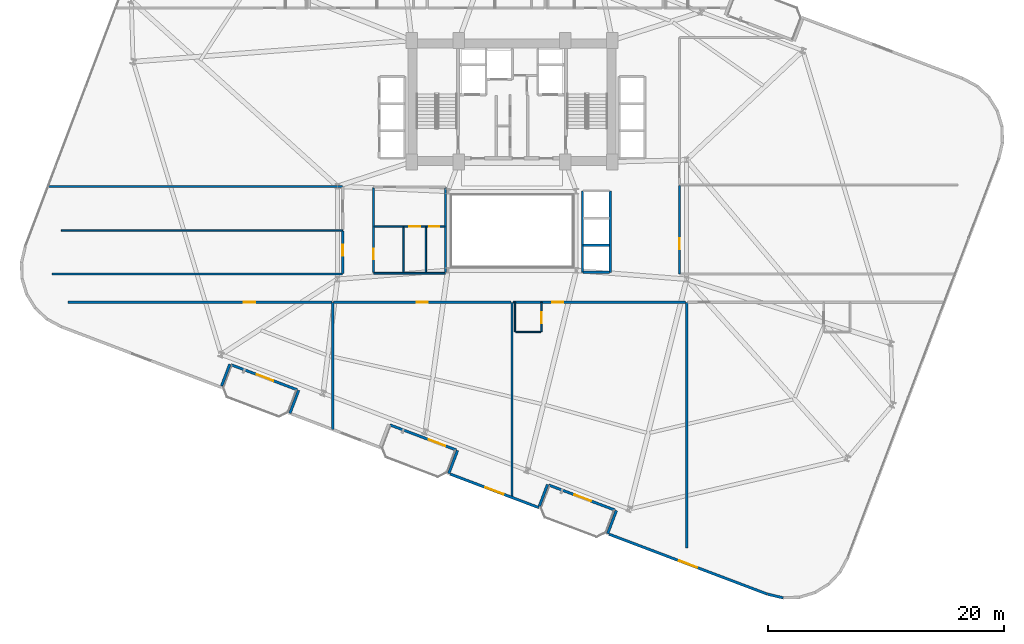
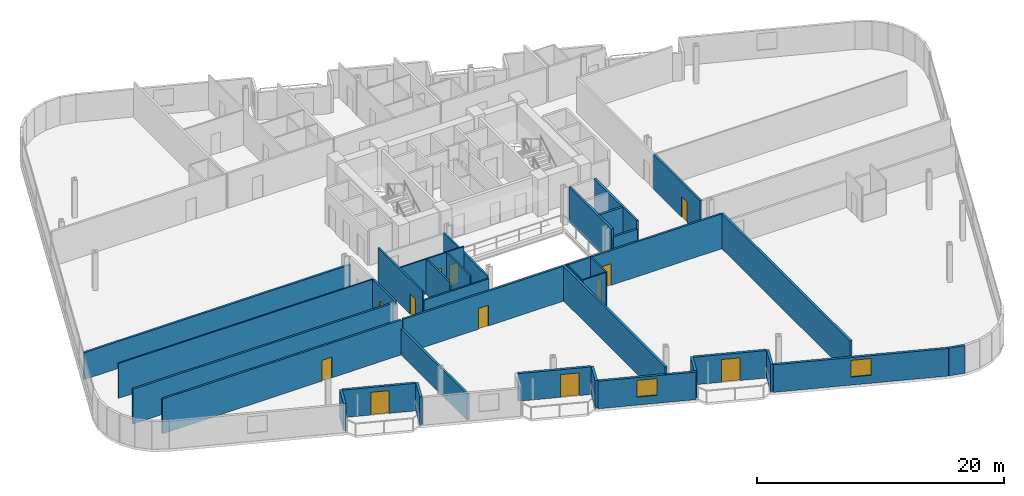
# One storey, part 17 of 24: 35 walls, 12 doors, 2 windows, 14 openings.
"""IFC4 building model written with IfcOpenShell, lengths in metres."""

from ifc_helpers import new_model, si_unit, direction, frame, frame_2d, origin, place, context, subcontext, project, spatial, rectangle, extrude, material, layer, layer_set, type_object, element, fill, save


model = new_model("IFC4")

# Units and contexts
model_context = context("Model", 3, precision=1e-05, world=origin(), true_north=direction((0.0, 1.0)))
body_context = subcontext(model_context, "Body", "Model", "MODEL_VIEW")
ifc_project = project(units=[si_unit("LENGTHUNIT", "METRE"), si_unit("AREAUNIT", "SQUARE_METRE"), si_unit("VOLUMEUNIT", "CUBIC_METRE"), si_unit("PLANEANGLEUNIT", "RADIAN"), si_unit("MASSUNIT", "GRAM", prefix="KILO")], contexts=[model_context])

# Site, building, storey
site_placement = place(None, origin())
site = spatial("IfcSite", under=ifc_project, at=site_placement, CompositionType="ELEMENT")
building_placement = place(site_placement, origin())
building = spatial("IfcBuilding", under=site, at=building_placement, Name="Varnelok Gate Tower", CompositionType="ELEMENT")
storey_placement = place(building_placement, frame((0.0, 0.0, 98.39990234375)))
storey = spatial("IfcBuildingStorey", under=building, at=storey_placement, Name="L24", CompositionType="ELEMENT", Elevation=98.39990234375)

# Wall, opening, door
ifc_material_1 = material(Name="Concrete C45/55", Category="concrete")
ifc_layer_1 = layer(ifc_material_1, 0.219970703125)
ifc_layer_set_1 = layer_set([ifc_layer_1], Name="Concrete C45/55")
wall_type_1 = type_object("IfcWallType", Name="EW-BALC-220", PredefinedType="SOLIDWALL", material=ifc_layer_set_1)
wall_1_placement = place(storey_placement, frame((21.00048828125, 9.42529296875, 0.0), z_axis=(0.0, 0.0, 1.0), x_axis=(-0.93521416643, 0.354082565101, 0.0)))
wall_1 = element("IfcWall", 1, at=wall_1_placement, inside=storey, type_object=wall_type_1, Name="L24 South Terrace Envelope Wall 1", PredefinedType="SOLIDWALL", context=body_context, shape_type="SweptSolid", body=[
    extrude(rectangle(XDim=6.0, YDim=0.219970703125, at=frame_2d((3.0, 0.0))), origin(), (0.0, 0.0, 1.0), 2.72998046875),
])
opening_1_placement = place(wall_1_placement, frame((2.176025390625, 0.0, 0.0)))
opening_1 = element("IfcOpeningElement", 2, at=opening_1_placement, cuts=wall_1, Name="Opening BD-1", PredefinedType="OPENING", context=body_context, shape_type="SweptSolid", body=[
    extrude(rectangle(XDim=1.5, YDim=2.25, at=frame_2d((0.75, 1.125))), frame((0.0, 0.119873046875, 0.0), z_axis=(0.0, -1.0, 0.0), x_axis=(1.0, 0.0, 0.0)), (0.0, 0.0, 1.0), 0.239990234375),
])
ifc_material_2 = material(Name="Anodized Aluminum Alloy 6063-T6", Category="aluminium")
door_type_1 = type_object("IfcDoorType", Name="DR-EXT-BALC1500", OperationType="NOTDEFINED", PredefinedType="DOOR", material=ifc_material_2)
door_1_placement = place(opening_1_placement, origin())
door_1 = element("IfcDoor", 3, at=door_1_placement, inside=storey, type_object=door_type_1, Name="L24 South Balcony Glazed Door 1", OperationType="SINGLE_SWING_RIGHT", OverallHeight=2.25, OverallWidth=1.5, PredefinedType="DOOR", context=body_context, shape_type="SweptSolid", body=[
    extrude(rectangle(XDim=1.5, YDim=2.25, at=frame_2d((0.75, 1.125))), frame((0.0, 0.02490234375, 0.0), z_axis=(0.0, -1.0, 0.0), x_axis=(1.0, 0.0, 0.0)), (0.0, 0.0, 1.0), 0.050048828125),
])
fill(opening_1, door_1)

wall_2_placement = place(storey_placement, frame((34.4677734375, 4.326904296875, 0.0), z_axis=(0.0, 0.0, 1.0), x_axis=(-0.9352192676, 0.354069091436, 0.0)))
wall_2 = element("IfcWall", 4, at=wall_2_placement, inside=storey, type_object=wall_type_1, Name="L24 South Terrace Envelope Wall 2", PredefinedType="SOLIDWALL", context=body_context, shape_type="SweptSolid", body=[
    extrude(rectangle(XDim=6.000244140625, YDim=0.219970703125, at=frame_2d((3.0, 0.0))), origin(), (0.0, 0.0, 1.0), 2.72998046875),
])
opening_2_placement = place(wall_2_placement, frame((0.991943359375, 0.0, 0.0)))
opening_2 = element("IfcOpeningElement", 5, at=opening_2_placement, cuts=wall_2, Name="Opening BD-1", PredefinedType="OPENING", context=body_context, shape_type="SweptSolid", body=[
    extrude(rectangle(XDim=1.5, YDim=2.25, at=frame_2d((0.75, 1.125))), frame((0.0, 0.119873046875, 0.0), z_axis=(0.0, -1.0, 0.0), x_axis=(1.0, 0.0, 0.0)), (0.0, 0.0, 1.0), 0.239990234375),
])
door_2_placement = place(opening_2_placement, origin())
door_2 = element("IfcDoor", 6, at=door_2_placement, inside=storey, type_object=door_type_1, Name="L24 South Balcony Glazed Door 2", OperationType="SINGLE_SWING_LEFT", OverallHeight=2.25, OverallWidth=1.5, PredefinedType="DOOR", context=body_context, shape_type="SweptSolid", body=[
    extrude(rectangle(XDim=1.5, YDim=2.25, at=frame_2d((0.75, 1.125))), frame((0.0, 0.02490234375, 0.0), z_axis=(0.0, -1.0, 0.0), x_axis=(1.0, 0.0, 0.0)), (0.0, 0.0, 1.0), 0.050048828125),
])
fill(opening_2, door_2)

wall_3_placement = place(storey_placement, frame((47.934814453125, -0.771484375, 0.0), z_axis=(0.0, 0.0, 1.0), x_axis=(-0.935227640088, 0.354046976001, 0.0)))
wall_3 = element("IfcWall", 7, at=wall_3_placement, inside=storey, type_object=wall_type_1, Name="L24 South Terrace Envelope Wall 3", PredefinedType="SOLIDWALL", context=body_context, shape_type="SweptSolid", body=[
    extrude(rectangle(XDim=6.0, YDim=0.219970703125, at=frame_2d((3.0, 0.0))), origin(), (0.0, 0.0, 1.0), 2.72998046875),
])
opening_3_placement = place(wall_3_placement, frame((2.176025390625, 0.0, 0.0)))
opening_3 = element("IfcOpeningElement", 8, at=opening_3_placement, cuts=wall_3, Name="Opening BD-1", PredefinedType="OPENING", context=body_context, shape_type="SweptSolid", body=[
    extrude(rectangle(XDim=1.5, YDim=2.25, at=frame_2d((0.75, 1.125))), frame((0.0, 0.119873046875, 0.0), z_axis=(0.0, -1.0, 0.0), x_axis=(1.0, 0.0, 0.0)), (0.0, 0.0, 1.0), 0.239990234375),
])
door_3_placement = place(opening_3_placement, origin())
door_3 = element("IfcDoor", 9, at=door_3_placement, inside=storey, type_object=door_type_1, Name="L24 South Balcony Glazed Door 3", OperationType="SINGLE_SWING_RIGHT", OverallHeight=2.25, OverallWidth=1.5, PredefinedType="DOOR", context=body_context, shape_type="SweptSolid", body=[
    extrude(rectangle(XDim=1.5, YDim=2.25, at=frame_2d((0.75, 1.125))), frame((0.0, 0.02490234375, 0.0), z_axis=(0.0, -1.0, 0.0), x_axis=(1.0, 0.0, 0.0)), (0.0, 0.0, 1.0), 0.050048828125),
])
fill(opening_3, door_3)

# Walls
wall_4_placement = place(storey_placement, frame((14.581298828125, 9.754638671875, 0.0), z_axis=(0.0, 0.0, 1.0), x_axis=(0.354061611705, 0.935222099352, 0.0)))
element("IfcWall", 10, at=wall_4_placement, inside=storey, type_object=wall_type_1, Name="L24 Perimeter Facade Closure Wall 8", PredefinedType="SOLIDWALL", context=body_context, shape_type="SweptSolid", body=[
    extrude(rectangle(XDim=1.974853515625, YDim=0.219970703125, at=frame_2d((0.9873046875, 0.0))), origin(), (0.0, 0.0, 1.0), 2.72998046875),
])
wall_5_placement = place(storey_placement, frame((21.1162109375, 9.392333984375, 0.0), z_axis=(0.0, 0.0, 1.0), x_axis=(-0.353988291547, -0.935249854022, 0.0)))
element("IfcWall", 11, at=wall_5_placement, inside=storey, type_object=wall_type_1, Name="L24 Perimeter Facade Closure Wall 9", PredefinedType="SOLIDWALL", context=body_context, shape_type="SweptSolid", body=[
    extrude(rectangle(XDim=2.10009765625, YDim=0.219970703125, at=frame_2d((1.050048828125, 0.0))), origin(), (0.0, 0.0, 1.0), 2.72998046875),
])
wall_6_placement = place(storey_placement, frame((34.58349609375, 4.293701171875, 0.0), z_axis=(0.0, 0.0, 1.0), x_axis=(-0.354128469405, -0.935196785258, 0.0)))
element("IfcWall", 12, at=wall_6_placement, inside=storey, type_object=wall_type_1, Name="L24 Perimeter Facade Closure Wall 12", PredefinedType="SOLIDWALL", context=body_context, shape_type="SweptSolid", body=[
    extrude(rectangle(XDim=2.099853515625, YDim=0.219970703125, at=frame_2d((1.0498046875, 0.0))), origin(), (0.0, 0.0, 1.0), 2.72998046875),
])

# Wall, opening, window
wall_7_placement = place(storey_placement, frame((33.956787109375, 2.28564453125, 0.0), z_axis=(0.0, 0.0, 1.0), x_axis=(0.935220736163, -0.354065212427, 0.0)))
wall_7 = element("IfcWall", 13, at=wall_7_placement, inside=storey, type_object=wall_type_1, Name="L24 Perimeter Facade Closure Wall 13", PredefinedType="SOLIDWALL", context=body_context, shape_type="SweptSolid", body=[
    extrude(rectangle(XDim=8.03515625, YDim=0.219970703125, at=frame_2d((4.017578125, 0.0))), origin(), (0.0, 0.0, 1.0), 2.72998046875),
])
opening_4_placement = place(wall_7_placement, frame((3.1923828125, 0.0, 0.800048828125)))
opening_4 = element("IfcOpeningElement", 14, at=opening_4_placement, cuts=wall_7, Name="Opening WN3", PredefinedType="OPENING", context=body_context, shape_type="SweptSolid", body=[
    extrude(rectangle(XDim=1.64990234375, YDim=1.64990234375, at=frame_2d((0.824951171875, 0.824951171875))), frame((0.0, 0.119873046875, 0.0), z_axis=(0.0, -1.0, 0.0), x_axis=(1.0, 0.0, 0.0)), (0.0, 0.0, 1.0), 0.239990234375),
])
ifc_material_3 = material(Name="Low-E Laminated Double Glazing IGU", Category="glass")
window_type = type_object("IfcWindowType", Name="WN-HTL-1650", PartitioningType="SINGLE_PANEL", PredefinedType="WINDOW", material=ifc_material_3)
window_1_placement = place(opening_4_placement, origin())
window_1 = element("IfcWindow", 15, at=window_1_placement, inside=storey, type_object=window_type, Name="L24 Perimeter Vision Window 13", OverallHeight=1.64990234375, OverallWidth=1.64990234375, PartitioningType="SINGLE_PANEL", PredefinedType="WINDOW", context=body_context, shape_type="SweptSolid", body=[
    extrude(rectangle(XDim=1.64990234375, YDim=1.64990234375, at=frame_2d((0.824951171875, 0.824951171875))), frame((0.0, 0.030029296875, 0.0), z_axis=(0.0, -1.0, 0.0), x_axis=(1.0, 0.0, 0.0)), (0.0, 0.0, 1.0), 0.06005859375),
])
fill(opening_4, window_1)

# Walls
wall_8_placement = place(storey_placement, frame((41.515625, -0.4423828125, 0.0), z_axis=(0.0, 0.0, 1.0), x_axis=(0.354061611705, 0.935222099352, 0.0)))
element("IfcWall", 16, at=wall_8_placement, inside=storey, type_object=wall_type_1, Name="L24 Perimeter Facade Closure Wall 14", PredefinedType="SOLIDWALL", context=body_context, shape_type="SweptSolid", body=[
    extrude(rectangle(XDim=1.974853515625, YDim=0.219970703125, at=frame_2d((0.9873046875, 0.0))), origin(), (0.0, 0.0, 1.0), 2.72998046875),
])
wall_9_placement = place(storey_placement, frame((48.050537109375, -0.8046875, 0.0), z_axis=(0.0, 0.0, 1.0), x_axis=(-0.353988291547, -0.935249854022, 0.0)))
element("IfcWall", 17, at=wall_9_placement, inside=storey, type_object=wall_type_1, Name="L24 Perimeter Facade Closure Wall 15", PredefinedType="SOLIDWALL", context=body_context, shape_type="SweptSolid", body=[
    extrude(rectangle(XDim=2.10009765625, YDim=0.219970703125, at=frame_2d((1.050048828125, 0.0))), origin(), (0.0, 0.0, 1.0), 2.72998046875),
])

# Wall, opening, window
wall_10_placement = place(storey_placement, frame((47.424072265625, -2.81298828125, 0.0), z_axis=(0.0, 0.0, 1.0), x_axis=(0.935225962032, -0.354051408614, 0.0)))
wall_10 = element("IfcWall", 18, at=wall_10_placement, inside=storey, type_object=wall_type_1, Name="L24 Perimeter Facade Closure Wall 16", PredefinedType="SOLIDWALL", context=body_context, shape_type="SweptSolid", body=[
    extrude(rectangle(XDim=14.346923828125, YDim=0.219970703125, at=frame_2d((7.17333984375, 0.0))), origin(), (0.0, 0.0, 1.0), 2.72998046875),
])
opening_5_placement = place(wall_10_placement, frame((6.348388671875, 0.0, 0.800048828125)))
opening_5 = element("IfcOpeningElement", 19, at=opening_5_placement, cuts=wall_10, Name="Opening WN3", PredefinedType="OPENING", context=body_context, shape_type="SweptSolid", body=[
    extrude(rectangle(XDim=1.64990234375, YDim=1.64990234375, at=frame_2d((0.824951171875, 0.824951171875))), frame((0.0, 0.119873046875, 0.0), z_axis=(0.0, -1.0, 0.0), x_axis=(1.0, 0.0, 0.0)), (0.0, 0.0, 1.0), 0.239990234375),
])
window_2_placement = place(opening_5_placement, origin())
window_2 = element("IfcWindow", 20, at=window_2_placement, inside=storey, type_object=window_type, Name="L24 Perimeter Vision Window 16", OverallHeight=1.64990234375, OverallWidth=1.64990234375, PartitioningType="SINGLE_PANEL", PredefinedType="WINDOW", context=body_context, shape_type="SweptSolid", body=[
    extrude(rectangle(XDim=1.64990234375, YDim=1.64990234375, at=frame_2d((0.824951171875, 0.824951171875))), frame((0.0, 0.030029296875, 0.0), z_axis=(0.0, -1.0, 0.0), x_axis=(1.0, 0.0, 0.0)), (0.0, 0.0, 1.0), 0.06005859375),
])
fill(opening_5, window_2)

# Wall
wall_11_placement = place(storey_placement, frame((60.8662109375, -7.8984375, 0.0), z_axis=(0.0, 0.0, 1.0), x_axis=(0.973405403345, -0.229089329169, 0.0)))
element("IfcWall", 21, at=wall_11_placement, inside=storey, type_object=wall_type_1, Name="L24 Perimeter Facade Closure Wall 17", PredefinedType="SOLIDWALL", context=body_context, shape_type="SweptSolid", body=[
    extrude(rectangle(XDim=1.36083984375, YDim=0.219970703125, at=frame_2d((0.680419921875, 0.0))), origin(), (0.0, 0.0, 1.0), 2.72998046875),
])

# Wall, opening, door
ifc_material_4 = material(Name="Gypsum Plasterboard Acoustic Partition", Category="gypsum")
ifc_layer_2 = layer(ifc_material_4, 0.179931640625)
ifc_layer_set_2 = layer_set([ifc_layer_2], Name="Gypsum Plasterboard Acoustic Partition")
wall_type_2 = type_object("IfcWallType", Name="PW-CORR-180", PredefinedType="PARTITIONING", material=ifc_layer_set_2)
wall_12_placement = place(storey_placement, frame((1.580078125, 16.85009765625, 0.0), z_axis=(0.0, 0.0, 1.0), x_axis=(1.0, 0.0, 0.0)))
wall_12 = element("IfcWall", 22, at=wall_12_placement, inside=storey, type_object=wall_type_2, Name="Interior Partition", PredefinedType="PARTITIONING", context=body_context, shape_type="SweptSolid", body=[
    extrude(rectangle(XDim=22.33984375, YDim=0.179931640625, at=frame_2d((11.169921875, 0.0))), origin(), (0.0, 0.0, 1.0), 3.4501953125),
])
opening_6_placement = place(wall_12_placement, frame((14.89501953125, 0.0, 0.0)))
opening_6 = element("IfcOpeningElement", 23, at=opening_6_placement, cuts=wall_12, Name="Opening D-I2", PredefinedType="OPENING", context=body_context, shape_type="SweptSolid", body=[
    extrude(rectangle(XDim=0.949951171875, YDim=2.050048828125, at=frame_2d((0.47509765625, 1.02490234375))), frame((0.0, 0.099853515625, 0.0), z_axis=(0.0, -1.0, 0.0), x_axis=(1.0, 0.0, 0.0)), (0.0, 0.0, 1.0), 0.199951171875),
])
ifc_material_5 = material(Name="Engineered Hardwood Timber", Category="wood")
door_type_2 = type_object("IfcDoorType", Name="DR-INT-950", OperationType="NOTDEFINED", PredefinedType="DOOR", material=ifc_material_5)
door_4_placement = place(opening_6_placement, origin())
door_4 = element("IfcDoor", 24, at=door_4_placement, inside=storey, type_object=door_type_2, Name="L24 Private Owners Horizon Club Door", OperationType="SINGLE_SWING_LEFT", OverallHeight=2.050048828125, OverallWidth=0.949951171875, PredefinedType="DOOR", context=body_context, shape_type="SweptSolid", body=[
    extrude(rectangle(XDim=0.949951171875, YDim=2.050048828125, at=frame_2d((0.47509765625, 1.02490234375))), frame((0.0, 0.02490234375, 0.0), z_axis=(0.0, -1.0, 0.0), x_axis=(1.0, 0.0, 0.0)), (0.0, 0.0, 1.0), 0.050048828125),
])
fill(opening_6, door_4)

wall_13_placement = place(storey_placement, frame((24.080078125, 16.85009765625, 0.0), z_axis=(0.0, 0.0, 1.0), x_axis=(1.0, 0.0, 0.0)))
wall_13 = element("IfcWall", 25, at=wall_13_placement, inside=storey, type_object=wall_type_2, Name="Interior Partition", PredefinedType="PARTITIONING", context=body_context, shape_type="SweptSolid", body=[
    extrude(rectangle(XDim=15.0400390625, YDim=0.179931640625, at=frame_2d((7.52001953125, 0.0))), origin(), (0.0, 0.0, 1.0), 3.4501953125),
])
opening_7_placement = place(wall_13_placement, frame((7.044921875, 0.0, 0.0)))
opening_7 = element("IfcOpeningElement", 26, at=opening_7_placement, cuts=wall_13, Name="Opening D-I2", PredefinedType="OPENING", context=body_context, shape_type="SweptSolid", body=[
    extrude(rectangle(XDim=0.949951171875, YDim=2.050048828125, at=frame_2d((0.47509765625, 1.02490234375))), frame((0.0, 0.099853515625, 0.0), z_axis=(0.0, -1.0, 0.0), x_axis=(1.0, 0.0, 0.0)), (0.0, 0.0, 1.0), 0.199951171875),
])
door_5_placement = place(opening_7_placement, origin())
door_5 = element("IfcDoor", 27, at=door_5_placement, inside=storey, type_object=door_type_2, Name="L24 Sky Library Door", OperationType="SINGLE_SWING_LEFT", OverallHeight=2.050048828125, OverallWidth=0.949951171875, PredefinedType="DOOR", context=body_context, shape_type="SweptSolid", body=[
    extrude(rectangle(XDim=0.949951171875, YDim=2.050048828125, at=frame_2d((0.47509765625, 1.02490234375))), frame((0.0, 0.02490234375, 0.0), z_axis=(0.0, -1.0, 0.0), x_axis=(1.0, 0.0, 0.0)), (0.0, 0.0, 1.0), 0.050048828125),
])
fill(opening_7, door_5)

wall_14_placement = place(storey_placement, frame((39.280029296875, 16.85009765625, 0.0), z_axis=(0.0, 0.0, 1.0), x_axis=(1.0, 0.0, 0.0)))
wall_14 = element("IfcWall", 28, at=wall_14_placement, inside=storey, type_object=wall_type_2, Name="Interior Partition", PredefinedType="PARTITIONING", context=body_context, shape_type="SweptSolid", body=[
    extrude(rectangle(XDim=14.639892578125, YDim=0.179931640625, at=frame_2d((7.31982421875, 0.0))), origin(), (0.0, 0.0, 1.0), 3.4501953125),
])
opening_8_placement = place(wall_14_placement, frame((3.322021484375, 0.0, 0.0)))
opening_8 = element("IfcOpeningElement", 29, at=opening_8_placement, cuts=wall_14, Name="Opening D-HT", PredefinedType="OPENING", context=body_context, shape_type="SweptSolid", body=[
    extrude(rectangle(XDim=0.949951171875, YDim=2.14990234375, at=frame_2d((0.47509765625, 1.074951171875))), frame((0.0, 0.099853515625, 0.0), z_axis=(0.0, -1.0, 0.0), x_axis=(1.0, 0.0, 0.0)), (0.0, 0.0, 1.0), 0.199951171875),
])
door_type_3 = type_object("IfcDoorType", Name="DR-HTL-950", OperationType="NOTDEFINED", PredefinedType="DOOR", material=ifc_material_5)
door_6_placement = place(opening_8_placement, origin())
door_6 = element("IfcDoor", 30, at=door_6_placement, inside=storey, type_object=door_type_3, Name="L24 Guest Room 03 Entrance Door", OperationType="SINGLE_SWING_RIGHT", OverallHeight=2.14990234375, OverallWidth=0.949951171875, PredefinedType="DOOR", context=body_context, shape_type="SweptSolid", body=[
    extrude(rectangle(XDim=0.949951171875, YDim=2.14990234375, at=frame_2d((0.47509765625, 1.074951171875))), frame((0.0, 0.02490234375, 0.0), z_axis=(0.0, -1.0, 0.0), x_axis=(1.0, 0.0, 0.0)), (0.0, 0.0, 1.0), 0.050048828125),
])
fill(opening_8, door_6)

wall_15_placement = place(storey_placement, frame((24.85009765625, 19.300048828125, 0.0), z_axis=(0.0, 0.0, 1.0), x_axis=(0.0, 1.0, 0.0)))
wall_15 = element("IfcWall", 31, at=wall_15_placement, inside=storey, type_object=wall_type_2, Name="Interior Partition", PredefinedType="PARTITIONING", context=body_context, shape_type="SweptSolid", body=[
    extrude(rectangle(XDim=3.570068359375, YDim=0.179931640625, at=frame_2d((1.78515625, 0.0))), origin(), (0.0, 0.0, 1.0), 3.4501953125),
])
opening_9_placement = place(wall_15_placement, frame((1.49951171875, 0.0, 0.0)))
opening_9 = element("IfcOpeningElement", 32, at=opening_9_placement, cuts=wall_15, Name="Opening D-I3", PredefinedType="OPENING", context=body_context, shape_type="SweptSolid", body=[
    extrude(rectangle(XDim=0.919921875, YDim=2.050048828125, at=frame_2d((0.4599609375, 1.02490234375))), frame((0.0, 0.099853515625, 0.0), z_axis=(0.0, -1.0, 0.0), x_axis=(1.0, 0.0, 0.0)), (0.0, 0.0, 1.0), 0.199951171875),
])
door_type_4 = type_object("IfcDoorType", Name="DR-INT-920", OperationType="NOTDEFINED", PredefinedType="DOOR", material=ifc_material_5)
door_7_placement = place(opening_9_placement, origin())
door_7 = element("IfcDoor", 33, at=door_7_placement, inside=storey, type_object=door_type_4, Name="L24 West Wing Room 1 Door", OperationType="SINGLE_SWING_LEFT", OverallHeight=2.050048828125, OverallWidth=0.919921875, PredefinedType="DOOR", context=body_context, shape_type="SweptSolid", body=[
    extrude(rectangle(XDim=0.919921875, YDim=2.050048828125, at=frame_2d((0.4599609375, 1.02490234375))), frame((0.0, 0.02490234375, 0.0), z_axis=(0.0, -1.0, 0.0), x_axis=(1.0, 0.0, 0.0)), (0.0, 0.0, 1.0), 0.050048828125),
])
fill(opening_9, door_7)

# Walls
wall_16_placement = place(storey_placement, frame((0.199951171875, 19.239990234375, 0.0), z_axis=(0.0, 0.0, 1.0), x_axis=(1.0, 0.0, 0.0)))
element("IfcWall", 34, at=wall_16_placement, inside=storey, type_object=wall_type_2, Name="Interior Partition", PredefinedType="PARTITIONING", context=body_context, shape_type="SweptSolid", body=[
    extrude(rectangle(XDim=24.650146484375, YDim=0.179931640625, at=frame_2d((12.3251953125, 0.0))), origin(), (0.0, 0.0, 1.0), 3.4501953125),
])
wall_17_placement = place(storey_placement, frame((-0.0859375, 26.659912109375, 0.0), z_axis=(0.0, 0.0, 1.0), x_axis=(1.0, 0.0, 0.0)))
element("IfcWall", 35, at=wall_17_placement, inside=storey, type_object=wall_type_2, Name="Interior Partition", PredefinedType="PARTITIONING", context=body_context, shape_type="SweptSolid", body=[
    extrude(rectangle(XDim=24.93603515625, YDim=0.179931640625, at=frame_2d((12.468017578125, 0.0))), origin(), (0.0, 0.0, 1.0), 2.662109375),
])

# Wall, opening, door
wall_18_placement = place(storey_placement, frame((53.389892578125, 19.239990234375, 0.0), z_axis=(0.0, 0.0, 1.0), x_axis=(0.0, 1.0, 0.0)))
wall_18 = element("IfcWall", 36, at=wall_18_placement, inside=storey, type_object=wall_type_2, Name="Interior Partition", PredefinedType="PARTITIONING", context=body_context, shape_type="SweptSolid", body=[
    extrude(rectangle(XDim=7.52001953125, YDim=0.179931640625, at=frame_2d((3.760009765625, 0.0))), origin(), (0.0, 0.0, 1.0), 3.4501953125),
])
opening_10_placement = place(wall_18_placement, frame((2.10009765625, 0.0, 0.0)))
opening_10 = element("IfcOpeningElement", 37, at=opening_10_placement, cuts=wall_18, Name="Opening D-I3", PredefinedType="OPENING", context=body_context, shape_type="SweptSolid", body=[
    extrude(rectangle(XDim=0.919921875, YDim=2.050048828125, at=frame_2d((0.4599609375, 1.02490234375))), frame((0.0, 0.099853515625, 0.0), z_axis=(0.0, -1.0, 0.0), x_axis=(1.0, 0.0, 0.0)), (0.0, 0.0, 1.0), 0.199951171875),
])
door_8_placement = place(opening_10_placement, origin())
door_8 = element("IfcDoor", 38, at=door_8_placement, inside=storey, type_object=door_type_4, Name="L24 East Studio Door", OperationType="SINGLE_SWING_RIGHT", OverallHeight=2.050048828125, OverallWidth=0.919921875, PredefinedType="DOOR", context=body_context, shape_type="SweptSolid", body=[
    extrude(rectangle(XDim=0.919921875, YDim=2.050048828125, at=frame_2d((0.4599609375, 1.02490234375))), frame((0.0, 0.02490234375, 0.0), z_axis=(0.0, -1.0, 0.0), x_axis=(1.0, 0.0, 0.0)), (0.0, 0.0, 1.0), 0.050048828125),
])
fill(opening_10, door_8)

# Wall
ifc_layer_3 = layer(ifc_material_4, 0.114990234375)
ifc_layer_set_3 = layer_set([ifc_layer_3], Name="Gypsum Plasterboard Acoustic Partition")
wall_type_3 = type_object("IfcWallType", Name="PW-ENS-125", PredefinedType="PARTITIONING", material=ifc_layer_set_3)
wall_19_placement = place(storey_placement, frame((39.5, 14.330078125, 0.0), z_axis=(0.0, 0.0, 1.0), x_axis=(1.0, 0.0, 0.0)))
element("IfcWall", 39, at=wall_19_placement, inside=storey, type_object=wall_type_3, Name="Interior Partition", PredefinedType="PARTITIONING", context=body_context, shape_type="SweptSolid", body=[
    extrude(rectangle(XDim=2.14990234375, YDim=0.114990234375, at=frame_2d((1.074951171875, 0.0))), origin(), (0.0, 0.0, 1.0), 3.4501953125),
])

# Wall, opening, door
wall_20_placement = place(storey_placement, frame((41.68994140625, 14.330078125, 0.0), z_axis=(0.0, 0.0, 1.0), x_axis=(0.0, 1.0, 0.0)))
wall_20 = element("IfcWall", 40, at=wall_20_placement, inside=storey, type_object=wall_type_3, Name="Interior Partition", PredefinedType="PARTITIONING", context=body_context, shape_type="SweptSolid", body=[
    extrude(rectangle(XDim=2.52001953125, YDim=0.114990234375, at=frame_2d((1.260009765625, 0.0))), origin(), (0.0, 0.0, 1.0), 3.4501953125),
])
opening_11_placement = place(wall_20_placement, frame((0.760009765625, 0.0, 0.0)))
opening_11 = element("IfcOpeningElement", 41, at=opening_11_placement, cuts=wall_20, Name="Opening D-WC", PredefinedType="OPENING", context=body_context, shape_type="SweptSolid", body=[
    extrude(rectangle(XDim=0.89990234375, YDim=2.050048828125, at=frame_2d((0.449951171875, 1.02490234375))), frame((0.0, 0.0673828125, 0.0), z_axis=(0.0, -1.0, 0.0), x_axis=(1.0, 0.0, 0.0)), (0.0, 0.0, 1.0), 0.135009765625),
])
door_type_5 = type_object("IfcDoorType", Name="DR-BATH-900", OperationType="NOTDEFINED", PredefinedType="DOOR", material=ifc_material_5)
door_9_placement = place(opening_11_placement, origin())
door_9 = element("IfcDoor", 42, at=door_9_placement, inside=storey, type_object=door_type_5, Name="L24 Guest En-Suite 03 Door", OperationType="SINGLE_SWING_LEFT", OverallHeight=2.050048828125, OverallWidth=0.89990234375, PredefinedType="DOOR", context=body_context, shape_type="SweptSolid", body=[
    extrude(rectangle(XDim=0.89990234375, YDim=2.050048828125, at=frame_2d((0.449951171875, 1.02490234375))), frame((0.0, 0.02490234375, 0.0), z_axis=(0.0, -1.0, 0.0), x_axis=(1.0, 0.0, 0.0)), (0.0, 0.0, 1.0), 0.050048828125),
])
fill(opening_11, door_9)

# Walls
wall_21_placement = place(storey_placement, frame((39.4599609375, 14.330078125, 0.0), z_axis=(0.0, 0.0, 1.0), x_axis=(0.0, 1.0, 0.0)))
element("IfcWall", 43, at=wall_21_placement, inside=storey, type_object=wall_type_3, Name="Interior Partition", PredefinedType="PARTITIONING", context=body_context, shape_type="SweptSolid", body=[
    extrude(rectangle(XDim=2.52001953125, YDim=0.114990234375, at=frame_2d((1.260009765625, 0.0))), origin(), (0.0, 0.0, 1.0), 3.4501953125),
])
ifc_layer_4 = layer(ifc_material_4, 0.125)
ifc_layer_set_4 = layer_set([ifc_layer_4], Name="Gypsum Plasterboard Acoustic Partition")
wall_type_4 = type_object("IfcWallType", Name="PW-PART-125", PredefinedType="PARTITIONING", material=ifc_layer_set_4)
wall_22_placement = place(storey_placement, frame((1.0, 22.949951171875, 0.0), z_axis=(0.0, 0.0, 1.0), x_axis=(1.0, 0.0, 0.0)))
element("IfcWall", 44, at=wall_22_placement, inside=storey, type_object=wall_type_4, Name="Interior Partition", PredefinedType="PARTITIONING", context=body_context, shape_type="SweptSolid", body=[
    extrude(rectangle(XDim=23.85009765625, YDim=0.125, at=frame_2d((11.925048828125, 0.0))), origin(), (0.0, 0.0, 1.0), 3.4501953125),
])

# Wall, openings, doors
wall_23_placement = place(storey_placement, frame((27.52001953125, 23.27001953125, 0.0), z_axis=(0.0, 0.0, 1.0), x_axis=(1.0, 0.0, 0.0)))
wall_23 = element("IfcWall", 45, at=wall_23_placement, inside=storey, type_object=wall_type_4, Name="Interior Partition", PredefinedType="PARTITIONING", context=body_context, shape_type="SweptSolid", body=[
    extrude(rectangle(XDim=6.0, YDim=0.125, at=frame_2d((3.0, 0.0))), origin(), (0.0, 0.0, 1.0), 3.4501953125),
])
opening_12_placement = place(wall_23_placement, frame((2.981689453125, 0.0, 0.0)))
opening_12 = element("IfcOpeningElement", 46, at=opening_12_placement, cuts=wall_23, Name="Opening D-I4", PredefinedType="OPENING", context=body_context, shape_type="SweptSolid", body=[
    extrude(rectangle(XDim=0.89990234375, YDim=2.050048828125, at=frame_2d((0.449951171875, 1.02490234375))), frame((0.0, 0.072509765625, 0.0), z_axis=(0.0, -1.0, 0.0), x_axis=(1.0, 0.0, 0.0)), (0.0, 0.0, 1.0), 0.14501953125),
])
opening_13_placement = place(wall_23_placement, frame((4.64990234375, 0.0, 0.0)))
opening_13 = element("IfcOpeningElement", 47, at=opening_13_placement, cuts=wall_23, Name="Opening D-RS", PredefinedType="OPENING", context=body_context, shape_type="SweptSolid", body=[
    extrude(rectangle(XDim=0.85009765625, YDim=2.050048828125, at=frame_2d((0.425048828125, 1.02490234375))), frame((0.0, 0.072509765625, 0.0), z_axis=(0.0, -1.0, 0.0), x_axis=(1.0, 0.0, 0.0)), (0.0, 0.0, 1.0), 0.14501953125),
])
door_type_6 = type_object("IfcDoorType", Name="DR-INT-900", OperationType="NOTDEFINED", PredefinedType="DOOR", material=ifc_material_5)
door_10_placement = place(opening_12_placement, origin())
door_10 = element("IfcDoor", 48, at=door_10_placement, inside=storey, type_object=door_type_6, Name="L24 Trolley Room Door", OperationType="SINGLE_SWING_LEFT", OverallHeight=2.050048828125, OverallWidth=0.89990234375, PredefinedType="DOOR", context=body_context, shape_type="SweptSolid", body=[
    extrude(rectangle(XDim=0.89990234375, YDim=2.050048828125, at=frame_2d((0.449951171875, 1.02490234375))), frame((0.0, 0.02490234375, 0.0), z_axis=(0.0, -1.0, 0.0), x_axis=(1.0, 0.0, 0.0)), (0.0, 0.0, 1.0), 0.050048828125),
])
fill(opening_12, door_10)
ifc_material_6 = material(Name="Galvanized Steel Grade S350GD", Category="steel")
door_type_7 = type_object("IfcDoorType", Name="DR-RISER-850", OperationType="NOTDEFINED", PredefinedType="DOOR", material=ifc_material_6)
door_11_placement = place(opening_13_placement, origin())
door_11 = element("IfcDoor", 49, at=door_11_placement, inside=storey, type_object=door_type_7, Name="L24 Janitor Sink Door", OperationType="SINGLE_SWING_RIGHT", OverallHeight=2.050048828125, OverallWidth=0.85009765625, PredefinedType="DOOR", context=body_context, shape_type="SweptSolid", body=[
    extrude(rectangle(XDim=0.85009765625, YDim=2.050048828125, at=frame_2d((0.425048828125, 1.02490234375))), frame((0.0, 0.02490234375, 0.0), z_axis=(0.0, -1.0, 0.0), x_axis=(1.0, 0.0, 0.0)), (0.0, 0.0, 1.0), 0.050048828125),
])
fill(opening_13, door_11)

# Walls
for number, where, z_axis, x_axis, name in (
    (50, (30.0, 19.3798828125, 0.0), (0.0, 0.0, 1.0), (0.0, 1.0, 0.0), "Interior Partition"),
    (51, (31.89990234375, 19.3798828125, 0.0), (0.0, 0.0, 1.0), (0.0, 1.0, 0.0), "Interior Partition"),
):
    element("IfcWall", number, at=place(storey_placement, frame(where, z_axis=z_axis, x_axis=x_axis)), inside=storey, type_object=wall_type_4, Name=name, PredefinedType="PARTITIONING", context=body_context, shape_type="SweptSolid", body=[
        extrude(rectangle(XDim=3.820068359375, YDim=0.125, at=frame_2d((1.91015625, 0.0))), origin(), (0.0, 0.0, 1.0), 3.4501953125),
    ])
ifc_layer_5 = layer(ifc_material_4, 0.14990234375)
ifc_layer_set_5 = layer_set([ifc_layer_5], Name="Gypsum Plasterboard Acoustic Partition")
wall_type_5 = type_object("IfcWallType", Name="PW-PART-150", PredefinedType="PARTITIONING", material=ifc_layer_set_5)
wall_24_placement = place(storey_placement, frame((27.4599609375, 19.300048828125, 0.0), z_axis=(0.0, 0.0, 1.0), x_axis=(1.0, 0.0, 0.0)))
element("IfcWall", 52, at=wall_24_placement, inside=storey, type_object=wall_type_5, Name="Interior Partition", PredefinedType="PARTITIONING", context=body_context, shape_type="SweptSolid", body=[
    extrude(rectangle(XDim=6.10009765625, YDim=0.14990234375, at=frame_2d((3.050048828125, 0.0))), origin(), (0.0, 0.0, 1.0), 2.662109375),
])

# Wall, opening, door
wall_25_placement = place(storey_placement, frame((27.4599609375, 19.3798828125, 0.0), z_axis=(0.0, 0.0, 1.0), x_axis=(0.0, 1.0, 0.0)))
wall_25 = element("IfcWall", 53, at=wall_25_placement, inside=storey, type_object=wall_type_5, Name="Interior Partition", PredefinedType="PARTITIONING", context=body_context, shape_type="SweptSolid", body=[
    extrude(rectangle(XDim=7.16015625, YDim=0.14990234375, at=frame_2d((3.580078125, 0.0))), origin(), (0.0, 0.0, 1.0), 3.4501953125),
])
opening_14_placement = place(wall_25_placement, frame((1.10009765625, 0.0, 0.0)))
opening_14 = element("IfcOpeningElement", 54, at=opening_14_placement, cuts=wall_25, Name="Opening D-WC", PredefinedType="OPENING", context=body_context, shape_type="SweptSolid", body=[
    extrude(rectangle(XDim=0.89990234375, YDim=2.050048828125, at=frame_2d((0.449951171875, 1.02490234375))), frame((0.0, 0.0849609375, 0.0), z_axis=(0.0, -1.0, 0.0), x_axis=(1.0, 0.0, 0.0)), (0.0, 0.0, 1.0), 0.169921875),
])
door_12_placement = place(opening_14_placement, origin())
door_12 = element("IfcDoor", 55, at=door_12_placement, inside=storey, type_object=door_type_5, Name="L24 Accessible Floor WC Door", OperationType="SINGLE_SWING_RIGHT", OverallHeight=2.050048828125, OverallWidth=0.89990234375, PredefinedType="DOOR", context=body_context, shape_type="SweptSolid", body=[
    extrude(rectangle(XDim=0.89990234375, YDim=2.050048828125, at=frame_2d((0.449951171875, 1.02490234375))), frame((0.0, 0.02490234375, 0.0), z_axis=(0.0, -1.0, 0.0), x_axis=(1.0, 0.0, 0.0)), (0.0, 0.0, 1.0), 0.050048828125),
])
fill(opening_14, door_12)

# Walls
wall_26_placement = place(storey_placement, frame((33.56005859375, 19.3798828125, 0.0), z_axis=(0.0, 0.0, 1.0), x_axis=(0.0, 1.0, 0.0)))
element("IfcWall", 56, at=wall_26_placement, inside=storey, type_object=wall_type_5, Name="Interior Partition", PredefinedType="PARTITIONING", context=body_context, shape_type="SweptSolid", body=[
    extrude(rectangle(XDim=7.16015625, YDim=0.14990234375, at=frame_2d((3.580078125, 0.0))), origin(), (0.0, 0.0, 1.0), 2.82421875),
])
ifc_layer_6 = layer(ifc_material_4, 0.205078125)
ifc_layer_set_6 = layer_set([ifc_layer_6], Name="Gypsum Plasterboard Acoustic Partition")
wall_type_6 = type_object("IfcWallType", Name="PW-PARTY-200", PredefinedType="PARTITIONING", material=ifc_layer_set_6)
wall_27_placement = place(storey_placement, frame((24.0, 6.076416015625, 0.0), z_axis=(0.0, 0.0, 1.0), x_axis=(0.0, 1.0, 0.0)))
element("IfcWall", 57, at=wall_27_placement, inside=storey, type_object=wall_type_6, Name="L24 South Party Wall 1", PredefinedType="PARTITIONING", context=body_context, shape_type="SweptSolid", body=[
    extrude(rectangle(XDim=10.773681640625, YDim=0.205078125, at=frame_2d((5.38671875, 0.0))), origin(), (0.0, 0.0, 1.0), 2.580078125),
])
wall_28_placement = place(storey_placement, frame((39.199951171875, 0.322021484375, 0.0), z_axis=(0.0, 0.0, 1.0), x_axis=(0.0, 1.0, 0.0)))
element("IfcWall", 58, at=wall_28_placement, inside=storey, type_object=wall_type_6, Name="L24 South Party Wall 2", PredefinedType="PARTITIONING", context=body_context, shape_type="SweptSolid", body=[
    extrude(rectangle(XDim=16.528076171875, YDim=0.205078125, at=frame_2d((8.26416015625, 0.0))), origin(), (0.0, 0.0, 1.0), 3.4501953125),
])
wall_29_placement = place(storey_placement, frame((54.0, -4.0, 0.0), z_axis=(0.0, 0.0, 1.0), x_axis=(0.0, 1.0, 0.0)))
element("IfcWall", 59, at=wall_29_placement, inside=storey, type_object=wall_type_6, Name="L24 South Party Wall 3", PredefinedType="PARTITIONING", context=body_context, shape_type="SweptSolid", body=[
    extrude(rectangle(XDim=20.85009765625, YDim=0.205078125, at=frame_2d((10.425048828125, 0.0))), origin(), (0.0, 0.0, 1.0), 3.4501953125),
])
ifc_material_7 = material(Name="Concrete C35/45", Category="concrete")
ifc_layer_7 = layer(ifc_material_7, 0.199951171875)
ifc_layer_set_7 = layer_set([ifc_layer_7], Name="Concrete C35/45")
wall_type_7 = type_object("IfcWallType", Name="PW-SHAFT-200", PredefinedType="PARTITIONING", material=ifc_layer_set_7)
wall_30_placement = place(storey_placement, frame((45.239990234375, 21.675048828125, 0.0), z_axis=(0.0, 0.0, 1.0), x_axis=(1.0, 0.0, 0.0)))
element("IfcWall", 60, at=wall_30_placement, inside=storey, type_object=wall_type_7, Name="L24 PH1 Divider", PredefinedType="PARTITIONING", context=body_context, shape_type="SweptSolid", body=[
    extrude(rectangle(XDim=2.219970703125, YDim=0.199951171875, at=frame_2d((1.10986328125, 0.0))), origin(), (0.0, 0.0, 1.0), 3.4501953125),
])
wall_31_placement = place(storey_placement, frame((45.239990234375, 19.3798828125, 0.0), z_axis=(0.0, 0.0, 1.0), x_axis=(1.0, 0.0, 0.0)))
element("IfcWall", 61, at=wall_31_placement, inside=storey, type_object=wall_type_7, Name="L24 PH Bank South Wall", PredefinedType="PARTITIONING", context=body_context, shape_type="SweptSolid", body=[
    extrude(rectangle(XDim=2.219970703125, YDim=0.199951171875, at=frame_2d((1.10986328125, 0.0))), origin(), (0.0, 0.0, 1.0), 2.662109375),
])
for number, where, z_axis, x_axis, name in (
    (62, (45.179931640625, 19.3798828125, 0.0), (0.0, 0.0, 1.0), (0.0, 1.0, 0.0), "L24 PH Bank Atrium Wall"),
    (63, (47.52001953125, 19.3798828125, 0.0), (0.0, 0.0, 1.0), (0.0, 1.0, 0.0), "L24 PH Bank Front Wall"),
):
    element("IfcWall", number, at=place(storey_placement, frame(where, z_axis=z_axis, x_axis=x_axis)), inside=storey, type_object=wall_type_7, Name=name, PredefinedType="PARTITIONING", context=body_context, shape_type="SweptSolid", body=[
        extrude(rectangle(XDim=6.900146484375, YDim=0.199951171875, at=frame_2d((3.4501953125, 0.0))), origin(), (0.0, 0.0, 1.0), 3.4501953125),
    ])

save(model, "model.ifc")
